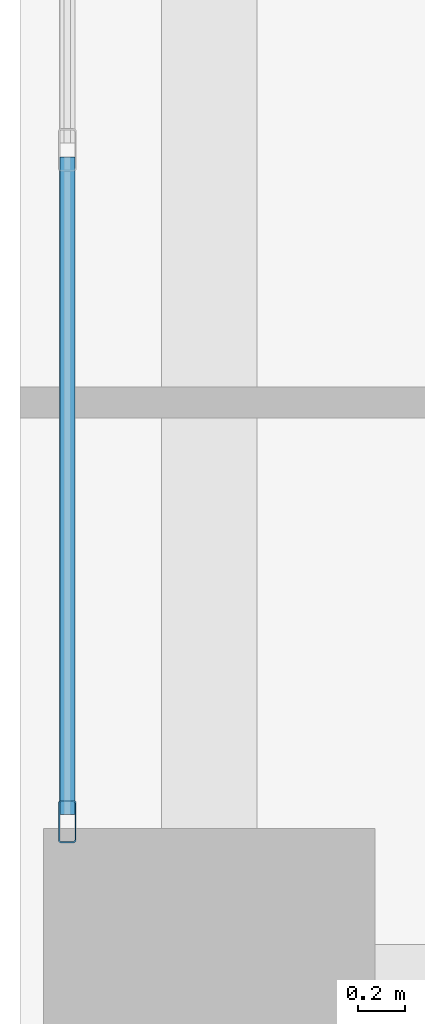
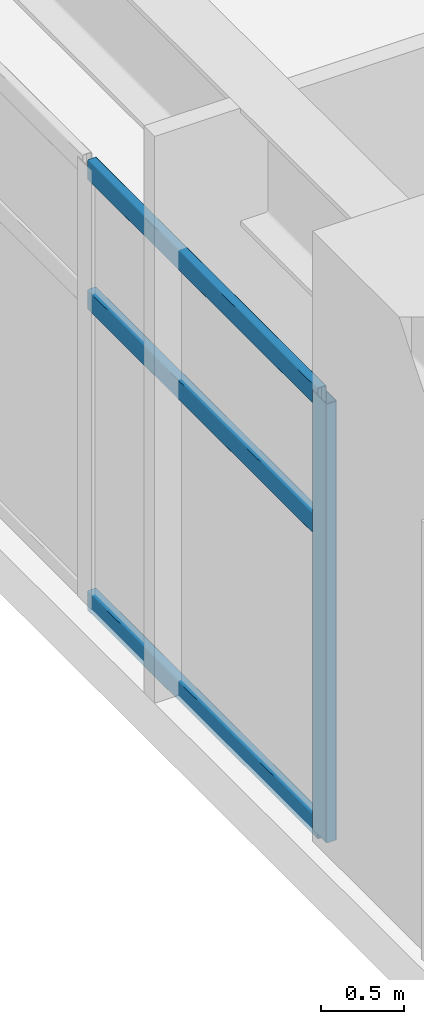
# One storey, part 5 of 28: 4 members, 1 element without a shape of its own.
"""IFC4 building model written with IfcOpenShell, lengths in metres."""

from ifc_helpers import new_model, si_unit, direction, frame, origin, origin_2d, place, context, subcontext, project, spatial, hollow_rectangle, extrude, material, layer, layer_set, material_profile, profile_set, type_object, element, aggregate, save


model = new_model("IFC4")

# Units and contexts
model_context = context("Model", 3, precision=1e-05, world=origin(), true_north=direction((0.0, 1.0)))
body_context = subcontext(model_context, "Body", "Model", "MODEL_VIEW")
ifc_project = project(units=[si_unit("LENGTHUNIT", "METRE"), si_unit("AREAUNIT", "SQUARE_METRE"), si_unit("VOLUMEUNIT", "CUBIC_METRE"), si_unit("PLANEANGLEUNIT", "RADIAN"), si_unit("MASSUNIT", "GRAM", prefix="KILO")], contexts=[model_context])

# Site, building, storey
site_placement = place(None, origin())
site = spatial("IfcSite", under=ifc_project, at=site_placement, CompositionType="ELEMENT")
building_placement = place(site_placement, origin())
building = spatial("IfcBuilding", under=site, at=building_placement, Name="Soratama Intermodal Tower", CompositionType="ELEMENT")
storey_placement = place(building_placement, frame((0.0, 0.0, 16.199951171875)))
storey = spatial("IfcBuildingStorey", under=building, at=storey_placement, Name="L03", CompositionType="ELEMENT", Elevation=16.199951171875)

# Curtain wall, members
ifc_material_1 = material(Name="Double-glazed aluminium curtain wall", Category="aluminium")
ifc_layer = layer(ifc_material_1, 0.159912109375)
ifc_layer_set = layer_set([ifc_layer], Name="Double-glazed aluminium curtain wall")
curtain_wall_type = type_object("IfcCurtainWallType", Name="CW-SYS-1", PredefinedType="NOTDEFINED", material=ifc_layer_set)
curtain_wall_placement = place(storey_placement, origin())
curtain_wall = element("IfcCurtainWall", 1, at=curtain_wall_placement, inside=storey, type_object=curtain_wall_type, Name="L03 Station Curtain Wall W1", PredefinedType="NOTDEFINED")
ifc_material_2 = material(Name="Anodised aluminium AA 6063-T6", Category="aluminium")
ifc_material_profile_1 = material_profile(ifc_material_2, hollow_rectangle(XDim=0.074951171875, YDim=0.179931640625, WallThickness=0.006103515625, InnerFilletRadius=0.006103515625, OuterFilletRadius=0.011962890625, at=origin_2d()), Name="CWM180X75X6")
ifc_profile_set_1 = profile_set([ifc_material_profile_1], Name="Anodised aluminium AA 6063-T6")
member_type_1 = type_object("IfcMemberType", Name="MT-CWM-1", PredefinedType="MULLION", material=ifc_profile_set_1)
member_1_placement = place(storey_placement, frame((0.199951171875, 15.72998046875, 0.0), z_axis=(0.0, 0.0, 1.0), x_axis=(-1.0, 0.0, 0.0)))
member_1 = element("IfcMember", 2, at=member_1_placement, type_object=member_type_1, Name="CW-1 mullion 1", PredefinedType="MULLION", context=body_context, shape_type="SweptSolid", body=[
    extrude(hollow_rectangle(XDim=0.074951171875, YDim=0.179931640625, WallThickness=0.006103515625, InnerFilletRadius=0.006103515625, OuterFilletRadius=0.011962890625, at=origin_2d()), origin(), (0.0, 0.0, 1.0), 3.236083984375),
])
ifc_material_3 = material(Name="Anodised aluminium AA 6063-T6", Category="aluminium")
ifc_material_profile_2 = material_profile(ifc_material_3, hollow_rectangle(XDim=0.06494140625, YDim=0.14990234375, WallThickness=0.0048828125, InnerFilletRadius=0.0048828125, OuterFilletRadius=0.010009765625, at=origin_2d()), Name="CWT150X65X5")
ifc_profile_set_2 = profile_set([ifc_material_profile_2], Name="Anodised aluminium AA 6063-T6")
member_type_2 = type_object("IfcMemberType", Name="TT-CWT-1", PredefinedType="USERDEFINED", material=ifc_profile_set_2)
member_2_placement = place(storey_placement, frame((0.199951171875, 15.760009765625, 0.030029296875), z_axis=(0.0, 1.0, 0.0), x_axis=(-1.0, 0.0, 0.0)))
member_2 = element("IfcMember", 3, at=member_2_placement, type_object=member_type_2, Name="CW-1 transom 1.1", ObjectType="TRANSOM", PredefinedType="USERDEFINED", context=body_context, shape_type="SweptSolid", body=[
    extrude(hollow_rectangle(XDim=0.06494140625, YDim=0.14990234375, WallThickness=0.0048828125, InnerFilletRadius=0.0048828125, OuterFilletRadius=0.010009765625, at=origin_2d()), origin(), (0.0, 0.0, 1.0), 2.776611328125),
])
member_3_placement = place(storey_placement, frame((0.199951171875, 15.760009765625, 2.25), z_axis=(0.0, 1.0, 0.0), x_axis=(-1.0, 0.0, 0.0)))
member_3 = element("IfcMember", 4, at=member_3_placement, type_object=member_type_2, Name="CW-1 transom 1.2", ObjectType="TRANSOM", PredefinedType="USERDEFINED", context=body_context, shape_type="SweptSolid", body=[
    extrude(hollow_rectangle(XDim=0.06494140625, YDim=0.14990234375, WallThickness=0.0048828125, InnerFilletRadius=0.0048828125, OuterFilletRadius=0.010009765625, at=origin_2d()), origin(), (0.0, 0.0, 1.0), 2.776611328125),
])
member_4_placement = place(storey_placement, frame((0.199951171875, 15.760009765625, 3.2060546875), z_axis=(0.0, 1.0, 0.0), x_axis=(-1.0, 0.0, 0.0)))
member_4 = element("IfcMember", 5, at=member_4_placement, type_object=member_type_2, Name="CW-1 transom 1.3", ObjectType="TRANSOM", PredefinedType="USERDEFINED", context=body_context, shape_type="SweptSolid", body=[
    extrude(hollow_rectangle(XDim=0.06494140625, YDim=0.14990234375, WallThickness=0.0048828125, InnerFilletRadius=0.0048828125, OuterFilletRadius=0.010009765625, at=origin_2d()), origin(), (0.0, 0.0, 1.0), 2.776611328125),
])
aggregate(curtain_wall, [member_1, member_2, member_3, member_4])

save(model, "model.ifc")
